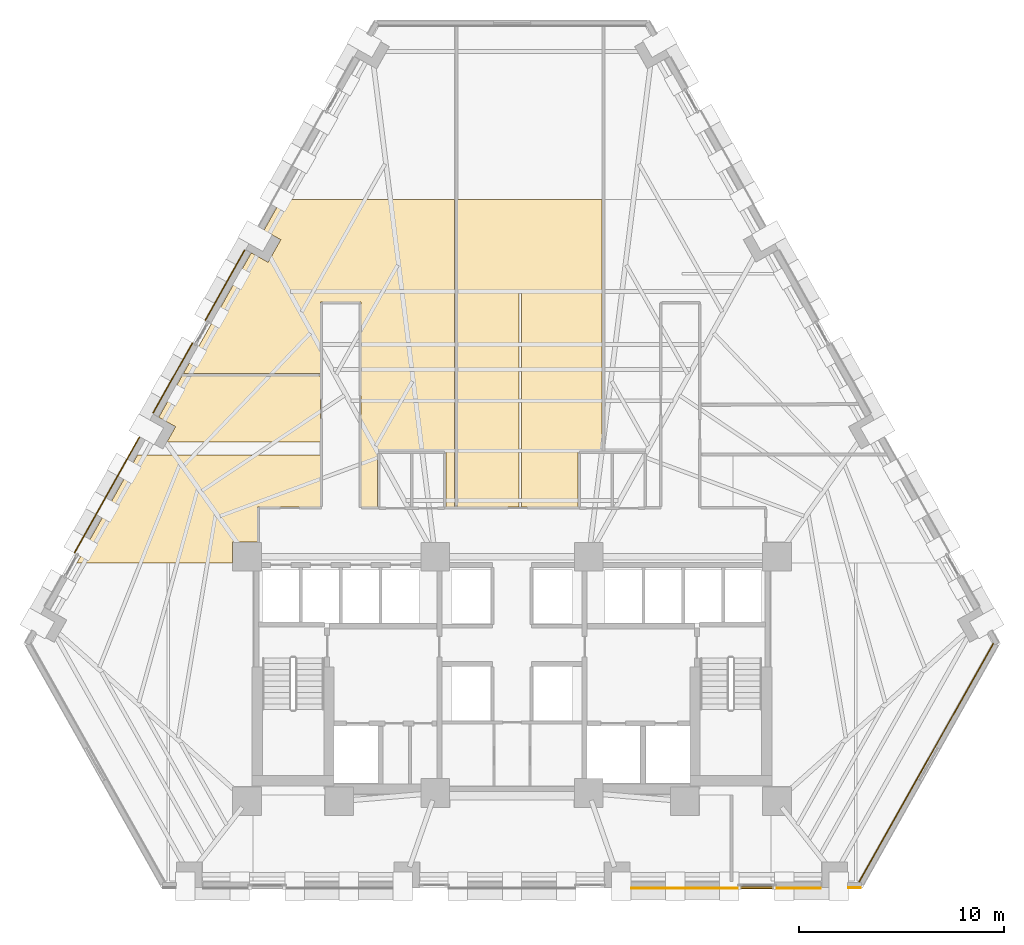
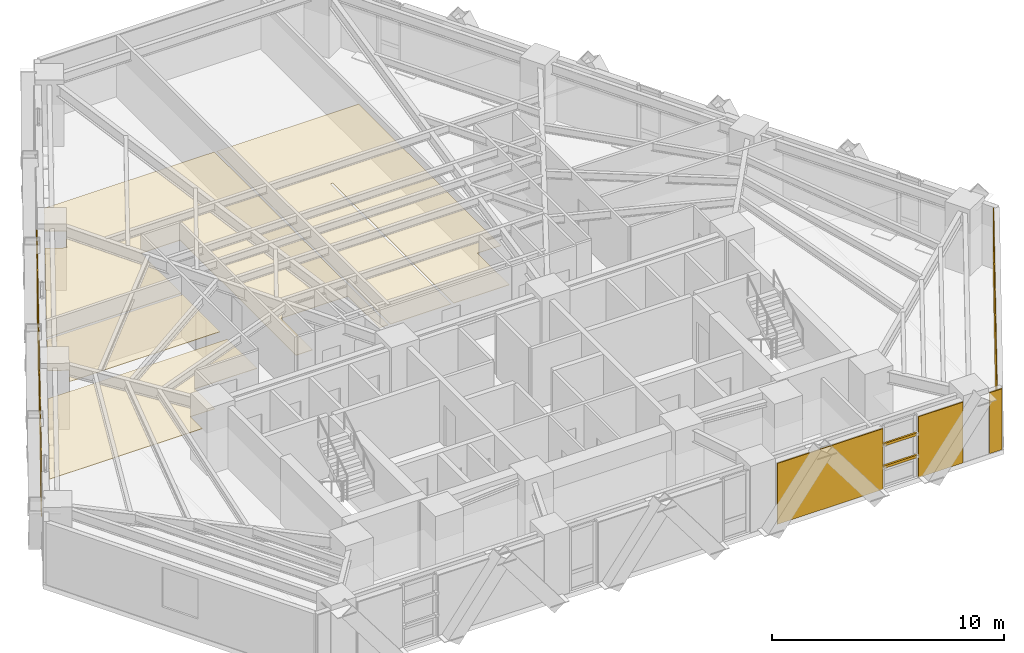
# One storey, part 11 of 13: 11 coverings, 2 shading devices.
"""IFC4 building model written with IfcOpenShell, lengths in metres."""

from ifc_helpers import new_model, si_unit, direction, frame, origin, origin_2d, place, context, subcontext, project, spatial, polyline, rectangle, outline, extrude, material, layer, layer_set, material_profile, profile_set, type_object, element, save


model = new_model("IFC4")

# Units and contexts
model_context = context("Model", 3, precision=1e-05, world=origin(), true_north=direction((0.0, 1.0)))
body_context = subcontext(model_context, "Body", "Model", "MODEL_VIEW")
ifc_project = project(units=[si_unit("LENGTHUNIT", "METRE"), si_unit("AREAUNIT", "SQUARE_METRE"), si_unit("VOLUMEUNIT", "CUBIC_METRE"), si_unit("PLANEANGLEUNIT", "RADIAN"), si_unit("MASSUNIT", "GRAM", prefix="KILO")], contexts=[model_context])

# Site, building, storey
site_placement = place(None, origin())
site = spatial("IfcSite", under=ifc_project, at=site_placement, CompositionType="ELEMENT")
building_placement = place(site_placement, origin())
building = spatial("IfcBuilding", under=site, at=building_placement, Name="Quenlor Broadcast Tower", CompositionType="ELEMENT")
storey_placement = place(building_placement, frame((0.0, 0.0, 66.10009765625)))
storey = spatial("IfcBuildingStorey", under=building, at=storey_placement, Name="L17", CompositionType="ELEMENT", Elevation=66.10009765625)

# Coverings
ifc_material_1 = material(Name="Acoustic Mineral Fibre Board", Category="other")
ifc_layer_1 = layer(ifc_material_1, 0.02490234375)
ifc_layer_set_1 = layer_set([ifc_layer_1], Name="Acoustic Perforated Mineral Tile Ceiling 25")
covering_type_1 = type_object("IfcCoveringType", Name="Acoustic Perforated Mineral Tile Ceiling 25", PredefinedType="CEILING", material=ifc_layer_set_1)
covering_1_placement = place(storey_placement, frame((0.0, 0.0, 2.224853515625)))
element("IfcCovering", 1, at=covering_1_placement, inside=storey, type_object=covering_type_1, Name="L17 Acoustic Ceiling L17-33", PredefinedType="CEILING", context=body_context, shape_type="SweptSolid", body=[
    extrude(outline(polyline([(-3.22998046875, -2.3701171875), (-3.22998046875, 0.3701171875), (-6.570068359375, 0.3701171875), (-6.570068359375, -2.3701171875), (-7.389892578125, -2.3701171875), (-7.389892578125, 7.639892578125), (-9.35009765625, 7.639892578125), (-9.35009765625, 4.159912109375), (-16.057373046875, 4.159912109375), (-12.74365234375, 10.05126953125), (-11.921630859375, 9.5888671875), (-11.301025390625, 10.6923828125), (-12.122802734375, 11.154541015625), (-11.28173828125, 12.64990234375), (-2.800048828125, 12.64990234375), (-2.800048828125, -2.3701171875), (-3.22998046875, -2.3701171875)])), origin(), (0.0, 0.0, 1.0), 0.025146484375),
])
covering_2_placement = place(storey_placement, frame((0.0, 0.0, 2.224853515625)))
element("IfcCovering", 2, at=covering_2_placement, inside=storey, type_object=covering_type_1, Name="L17 Acoustic Ceiling L17-34", PredefinedType="CEILING", context=body_context, shape_type="SweptSolid", body=[
    extrude(outline(polyline([(3.22998046875, -2.3701171875), (0.4599609375, -2.3701171875), (0.4599609375, 8.06005859375), (0.340087890625, 8.06005859375), (0.340087890625, -2.3701171875), (-2.679931640625, -2.3701171875), (-2.679931640625, 12.64990234375), (4.39990234375, 12.64990234375), (4.39990234375, 0.3701171875), (3.22998046875, 0.3701171875), (3.22998046875, -2.3701171875)])), origin(), (0.0, 0.0, 1.0), 0.025146484375),
])
covering_3_placement = place(storey_placement, frame((0.0, 0.0, 2.224853515625)))
element("IfcCovering", 3, at=covering_3_placement, inside=storey, type_object=covering_type_1, Name="L17 Acoustic Ceiling L17-36", PredefinedType="CEILING", context=body_context, shape_type="SweptSolid", body=[
    extrude(outline(polyline([(-16.85986328125, 0.81005859375), (-16.44189453125, 1.552978515625), (-17.263671875, 2.015380859375), (-16.125, 4.0400390625), (-9.35009765625, 4.0400390625), (-9.35009765625, 0.81005859375), (-16.85986328125, 0.81005859375)])), origin(), (0.0, 0.0, 1.0), 0.025146484375),
])
covering_4_placement = place(storey_placement, frame((0.0, 0.0, 2.224853515625)))
element("IfcCovering", 4, at=covering_4_placement, inside=storey, type_object=covering_type_1, Name="L17 Acoustic Ceiling L17-39", PredefinedType="CEILING", context=body_context, shape_type="SweptSolid", body=[
    extrude(outline(polyline([(-12.43994140625, -4.092041015625), (-13.657958984375, -4.092041015625), (-13.657958984375, -5.1201171875), (-16.739990234375, -5.1201171875), (-16.860107421875, -5.1201171875), (-21.27734375, -5.1201171875), (-18.3076171875, 0.15966796875), (-9.35009765625, 0.15966796875), (-9.35009765625, -2.3701171875), (-12.43994140625, -2.3701171875), (-12.43994140625, -4.092041015625)])), origin(), (0.0, 0.0, 1.0), 0.025146484375),
])

# Shading devices
ifc_material_2 = material(Name="Architectural Terracotta Ceramic", Category="masonry")
ifc_material_profile = material_profile(ifc_material_2, rectangle(XDim=0.090087890625, YDim=0.139892578125, at=origin_2d()))
ifc_profile_set = profile_set([ifc_material_profile], Name="Architectural Terracotta Ceramic BAG90x140")
shading_device_type = type_object("IfcShadingDeviceType", Name="Copper Terracotta Baguette Solar Screen 140", PredefinedType="USERDEFINED", material=ifc_profile_set)
for number, where, z_axis, x_axis, name in (
    (5, (12.794921875, -20.98291015625, 1.169921875), (-1.0, 0.0, 0.0), (0.0, -1.0, 0.0), "L17 Terracotta Baguette Screen 1"),
    (6, (12.794921875, -20.98291015625, 2.33984375), (-1.0, 0.0, 0.0), (0.0, -1.0, 0.0), "L17 Terracotta Baguette Screen 2"),
):
    element("IfcShadingDevice", number, at=place(storey_placement, frame(where, z_axis=z_axis, x_axis=x_axis)), inside=storey, type_object=shading_device_type, Name=name, ObjectType="BAGUETTE", PredefinedType="USERDEFINED", context=body_context, shape_type="SweptSolid", body=[
        extrude(rectangle(XDim=0.090087890625, YDim=0.139892578125, at=origin_2d()), origin(), (0.0, 0.0, 1.0), 1.6484375),
    ])

# Coverings
ifc_material_3 = material(Name="Architectural Terracotta Ceramic", Category="masonry")
ifc_layer_2 = layer(ifc_material_3, 0.044921875)
ifc_layer_set_2 = layer_set([ifc_layer_2], Name="Fluted Terracotta Rainscreen Cladding Panel")
covering_type_2 = type_object("IfcCoveringType", Name="Fluted Terracotta Rainscreen Cladding Panel", PredefinedType="CLADDING", material=ifc_layer_set_2)
covering_5_placement = place(storey_placement, frame((0.0, 0.0, 0.02001953125)))
element("IfcCovering", 7, at=covering_5_placement, inside=storey, type_object=covering_type_2, Name="L17 Terracotta Rainscreen Cladding L17-SHD-SS0", PredefinedType="CLADDING", context=body_context, shape_type="SweptSolid", body=[
    extrude(outline(polyline([(17.0458984375, -20.951904296875), (16.425048828125, -20.951904296875), (16.425048828125, -20.9970703125), (17.0458984375, -20.9970703125), (17.0458984375, -20.951904296875)])), origin(), (0.0, 0.0, 1.0), 3.2099609375),
])
covering_6_placement = place(storey_placement, frame((0.0, 0.0, 0.02001953125)))
element("IfcCovering", 8, at=covering_6_placement, inside=storey, type_object=covering_type_2, Name="L17 Terracotta Rainscreen Cladding L17-SA-SP1", PredefinedType="CLADDING", context=body_context, shape_type="SweptSolid", body=[
    extrude(outline(polyline([(15.085205078125, -20.98193359375), (12.864990234375, -20.98193359375), (12.864990234375, -21.027099609375), (15.085205078125, -21.027099609375), (15.085205078125, -20.98193359375)])), origin(), (0.0, 0.0, 1.0), 3.2099609375),
])
covering_7_placement = place(storey_placement, frame((0.0, 0.0, 0.02001953125)))
element("IfcCovering", 9, at=covering_7_placement, inside=storey, type_object=covering_type_2, Name="L17 Terracotta Rainscreen Cladding L17-SA-SP2", PredefinedType="CLADDING", context=body_context, shape_type="SweptSolid", body=[
    extrude(outline(polyline([(11.07666015625, -20.98193359375), (5.82080078125, -20.98193359375), (5.82080078125, -21.027099609375), (11.07666015625, -21.027099609375), (11.07666015625, -20.98193359375)])), origin(), (0.0, 0.0, 1.0), 3.2099609375),
])
covering_8_placement = place(storey_placement, frame((0.0, 0.0, 0.02001953125)))
element("IfcCovering", 10, at=covering_8_placement, inside=storey, type_object=covering_type_2, Name="L17 Terracotta Rainscreen Cladding L17-NWA-SP2", PredefinedType="CLADDING", context=body_context, shape_type="SweptSolid", body=[
    extrude(outline(polyline([(-21.3671875, -4.622802734375), (-18.18798828125, 1.029052734375), (-18.227294921875, 1.051025390625), (-21.406494140625, -4.6005859375), (-21.3671875, -4.622802734375)])), origin(), (0.0, 0.0, 1.0), 3.2099609375),
])
covering_9_placement = place(storey_placement, frame((0.0, 0.0, 0.02001953125)))
element("IfcCovering", 11, at=covering_9_placement, inside=storey, type_object=covering_type_2, Name="L17 Terracotta Rainscreen Cladding L17-NW-SP1", PredefinedType="CLADDING", context=body_context, shape_type="SweptSolid", body=[
    extrude(outline(polyline([(-17.523681640625, 2.2099609375), (-15.594970703125, 5.638916015625), (-15.63427734375, 5.660888671875), (-17.56298828125, 2.23193359375), (-17.523681640625, 2.2099609375)])), origin(), (0.0, 0.0, 1.0), 3.2099609375),
])
covering_10_placement = place(storey_placement, frame((0.0, 0.0, 0.02001953125)))
element("IfcCovering", 12, at=covering_10_placement, inside=storey, type_object=covering_type_2, Name="L17 Terracotta Rainscreen Cladding L17-NW-SP2", PredefinedType="CLADDING", context=body_context, shape_type="SweptSolid", body=[
    extrude(outline(polyline([(-14.9736328125, 6.74365234375), (-13.044921875, 10.172607421875), (-13.083984375, 10.194580078125), (-15.0126953125, 6.765625), (-14.9736328125, 6.74365234375)])), origin(), (0.0, 0.0, 1.0), 3.2099609375),
])
covering_11_placement = place(storey_placement, frame((0.0, 0.0, 0.02001953125)))
element("IfcCovering", 13, at=covering_11_placement, inside=storey, type_object=covering_type_2, Name="L17 Terracotta Rainscreen Cladding L17-CNR-06", PredefinedType="CLADDING", context=body_context, shape_type="SweptSolid", body=[
    extrude(outline(polyline([(16.98388671875, -20.71533203125), (23.547607421875, -9.046875), (23.50830078125, -9.02490234375), (16.94482421875, -20.693359375), (16.98388671875, -20.71533203125)])), origin(), (0.0, 0.0, 1.0), 3.2099609375),
])

save(model, "model.ifc")
